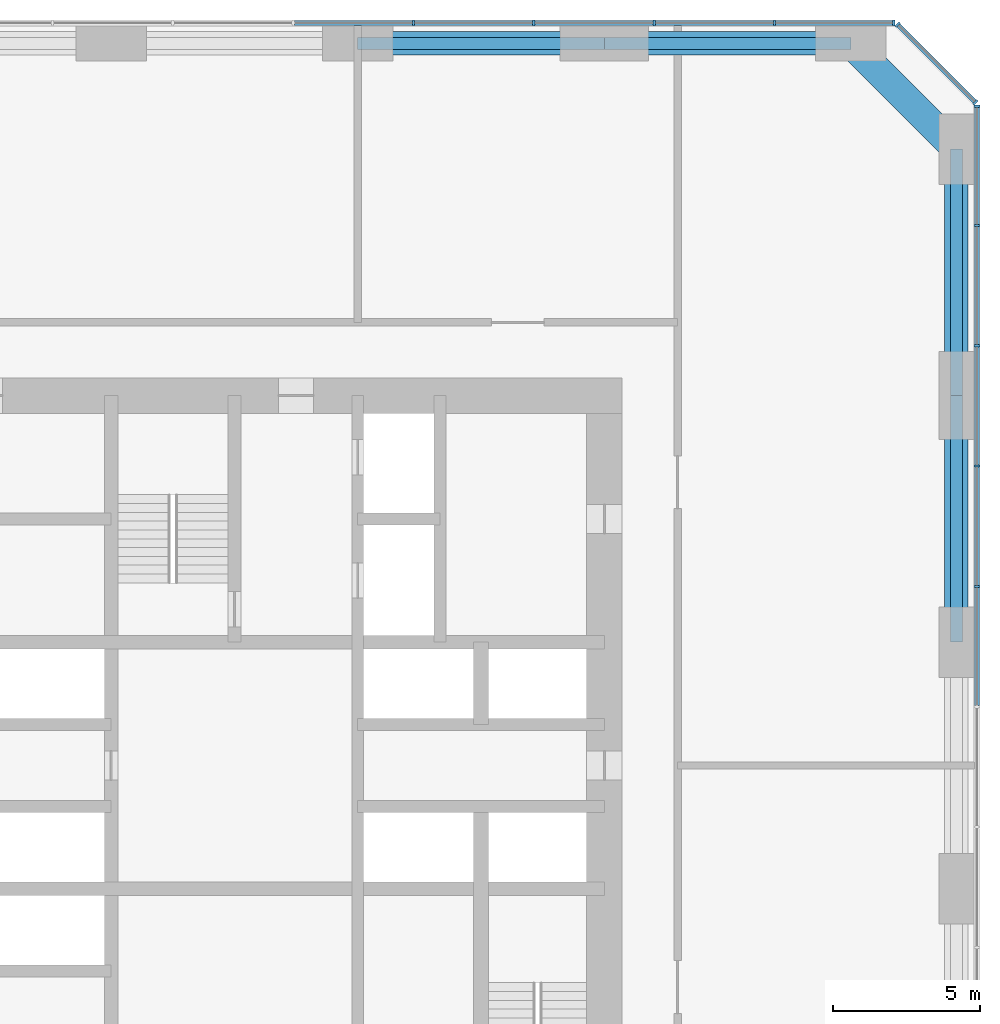
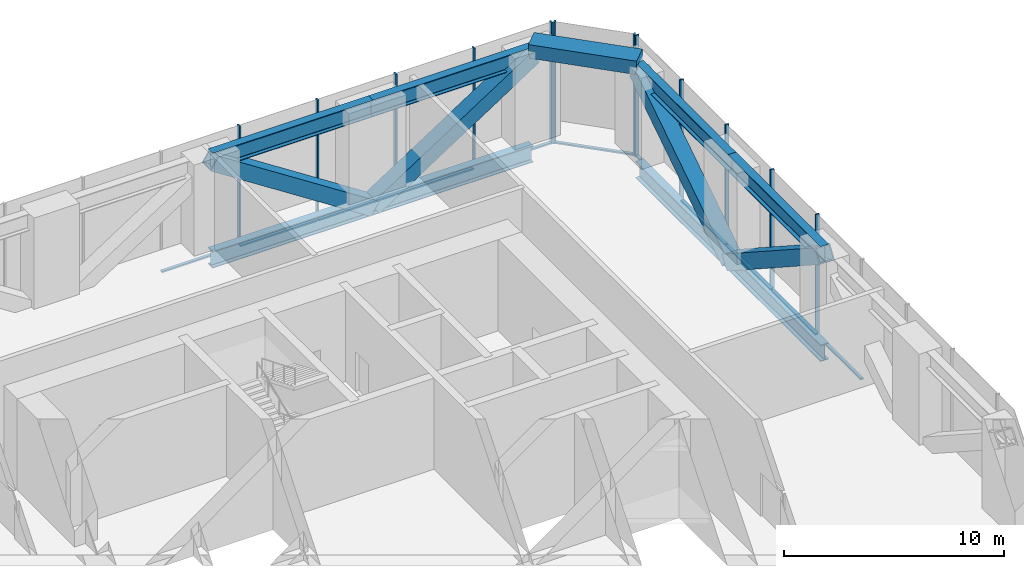
# One storey, part 6 of 10: 35 members, 1 beam, 3 elements without a shape of their own.
"""IFC4 building model written with IfcOpenShell, lengths in metres."""

from ifc_helpers import new_model, si_unit, direction, frame, origin, origin_2d, place, context, subcontext, project, spatial, rectangle, hollow_rectangle, i_section, extrude, material, material_profile, profile_set, type_object, element, aggregate, save


model = new_model("IFC4")

# Units and contexts
model_context = context("Model", 3, precision=1e-05, world=origin(), true_north=direction((0.0, 1.0)))
body_context = subcontext(model_context, "Body", "Model", "MODEL_VIEW")
ifc_project = project(units=[si_unit("LENGTHUNIT", "METRE"), si_unit("AREAUNIT", "SQUARE_METRE"), si_unit("VOLUMEUNIT", "CUBIC_METRE"), si_unit("PLANEANGLEUNIT", "RADIAN"), si_unit("MASSUNIT", "GRAM", prefix="KILO")], contexts=[model_context])

# Site, building, storey
site_placement = place(None, origin())
site = spatial("IfcSite", under=ifc_project, at=site_placement, CompositionType="ELEMENT")
building_placement = place(site_placement, origin())
building = spatial("IfcBuilding", under=site, at=building_placement, Name="Dunama Terrace Hotel", CompositionType="ELEMENT")
storey_placement = place(building_placement, frame((0.0, 0.0, 153.60009765625)))
storey = spatial("IfcBuildingStorey", under=building, at=storey_placement, Name="L39", CompositionType="ELEMENT", Elevation=153.60009765625)

# Members
ifc_material_1 = material(Name="Steel S355", Category="steel")
ifc_material_profile_1 = material_profile(ifc_material_1, hollow_rectangle(XDim=0.800048828125, YDim=0.800048828125, WallThickness=0.06005859375, at=origin_2d()), Name="BOX 800x800x60")
ifc_profile_set_1 = profile_set([ifc_material_profile_1], Name="Steel S355")
member_type_1 = type_object("IfcMemberType", Name="Brace BOX 800x800x60", PredefinedType="BRACE", material=ifc_profile_set_1)
for number, where, z_axis, x_axis, name in (
    (1, (54.0, 42.0, -0.860595703125), (0.0, -0.83889900313, 0.544287114075), (1.0, 0.0, 0.0), "Belt truss diagonal L39"),
    (2, (54.0, 42.0, -0.860595703125), (0.0, 0.83889900313, 0.544287114075), (-1.0, 0.0, 0.0), "Belt truss diagonal L39"),
    (3, (42.0, 54.0, -0.860595703125), (-0.83889900313, 0.0, 0.544287114075), (0.0, -1.0, 0.0), "Belt truss diagonal L39"),
    (4, (42.0, 54.0, -0.860595703125), (0.83889900313, 0.0, 0.544287114075), (0.0, 1.0, 0.0), "Belt truss diagonal L39"),
):
    element("IfcMember", number, at=place(storey_placement, frame(where, z_axis=z_axis, x_axis=x_axis)), inside=storey, type_object=member_type_1, Name=name, PredefinedType="BRACE", context=body_context, shape_type="SweptSolid", body=[
        extrude(hollow_rectangle(XDim=0.800048828125, YDim=0.800048828125, WallThickness=0.06005859375, at=origin_2d()), origin(), (0.0, 0.0, 1.0), 10.012939453125),
    ])

# Curtain wall, members
ifc_material_2 = material(Name="Aluminium curtain wall system", Category="aluminium")
curtain_wall_type = type_object("IfcCurtainWallType", Name="Plant floor louvred glazing CW-G", PredefinedType="NOTDEFINED", material=ifc_material_2)
curtain_wall_1_placement = place(storey_placement, origin())
curtain_wall_1 = element("IfcCurtainWall", 5, at=curtain_wall_1_placement, inside=storey, type_object=curtain_wall_type, Name="Plant floor louvred glazing CW-G L39", PredefinedType="NOTDEFINED")
ifc_material_3 = material(Name="Aluminium mullion", Category="aluminium")
ifc_material_profile_2 = material_profile(ifc_material_3, rectangle(XDim=0.074951171875, YDim=0.199951171875, at=origin_2d()), Name="CWG MULLION 75X200")
ifc_profile_set_2 = profile_set([ifc_material_profile_2], Name="Aluminium mullion")
member_type_2 = type_object("IfcMemberType", Name="CWG mullion 75x200", PredefinedType="MULLION", material=ifc_profile_set_2)
member_1_placement = place(storey_placement, frame((54.699951171875, 35.5, -1.321044921875), z_axis=(0.0, 0.0, 1.0), x_axis=(0.0, 1.0, 0.0)))
member_1 = element("IfcMember", 6, at=member_1_placement, type_object=member_type_2, Name="CWG mullion", PredefinedType="MULLION", context=body_context, shape_type="SweptSolid", body=[
    extrude(rectangle(XDim=0.074951171875, YDim=0.199951171875, at=origin_2d()), origin(), (0.0, 0.0, 1.0), 6.720947265625),
])
member_2_placement = place(storey_placement, frame((54.699951171875, 39.60009765625, -1.321044921875), z_axis=(0.0, 0.0, 1.0), x_axis=(0.0, 1.0, 0.0)))
member_2 = element("IfcMember", 7, at=member_2_placement, type_object=member_type_2, Name="CWG mullion", PredefinedType="MULLION", context=body_context, shape_type="SweptSolid", body=[
    extrude(rectangle(XDim=0.074951171875, YDim=0.199951171875, at=origin_2d()), origin(), (0.0, 0.0, 1.0), 6.720947265625),
])
member_3_placement = place(storey_placement, frame((54.699951171875, 43.699951171875, -1.321044921875), z_axis=(0.0, 0.0, 1.0), x_axis=(0.0, 1.0, 0.0)))
member_3 = element("IfcMember", 8, at=member_3_placement, type_object=member_type_2, Name="CWG mullion", PredefinedType="MULLION", context=body_context, shape_type="SweptSolid", body=[
    extrude(rectangle(XDim=0.074951171875, YDim=0.199951171875, at=origin_2d()), origin(), (0.0, 0.0, 1.0), 6.720947265625),
])
member_4_placement = place(storey_placement, frame((54.699951171875, 47.800048828125, -1.321044921875), z_axis=(0.0, 0.0, 1.0), x_axis=(0.0, 1.0, 0.0)))
member_4 = element("IfcMember", 9, at=member_4_placement, type_object=member_type_2, Name="CWG mullion", PredefinedType="MULLION", context=body_context, shape_type="SweptSolid", body=[
    extrude(rectangle(XDim=0.074951171875, YDim=0.199951171875, at=origin_2d()), origin(), (0.0, 0.0, 1.0), 6.720947265625),
])
member_5_placement = place(storey_placement, frame((54.699951171875, 51.862060546875, -1.321044921875), z_axis=(0.0, 0.0, 1.0), x_axis=(0.0, 1.0, 0.0)))
member_5 = element("IfcMember", 10, at=member_5_placement, type_object=member_type_2, Name="CWG mullion", PredefinedType="MULLION", context=body_context, shape_type="SweptSolid", body=[
    extrude(rectangle(XDim=0.074951171875, YDim=0.199951171875, at=origin_2d()), origin(), (0.0, 0.0, 1.0), 6.720947265625),
])

curtain_wall_2_placement = place(storey_placement, origin())
curtain_wall_2 = element("IfcCurtainWall", 11, at=curtain_wall_2_placement, inside=storey, type_object=curtain_wall_type, Name="Plant floor louvred glazing CW-G L39", PredefinedType="NOTDEFINED")
member_6_placement = place(storey_placement, frame((54.64404296875, 51.9970703125, -1.321044921875), z_axis=(0.0, 0.0, 1.0), x_axis=(-0.707106781187, 0.707106781187, 0.0)))
member_6 = element("IfcMember", 12, at=member_6_placement, type_object=member_type_2, Name="CWG mullion", PredefinedType="MULLION", context=body_context, shape_type="SweptSolid", body=[
    extrude(rectangle(XDim=0.074951171875, YDim=0.199951171875, at=origin_2d()), origin(), (0.0, 0.0, 1.0), 6.720947265625),
])
member_7_placement = place(storey_placement, frame((51.9970703125, 54.64404296875, -1.321044921875), z_axis=(0.0, 0.0, 1.0), x_axis=(-0.707106781187, 0.707106781187, 0.0)))
member_7 = element("IfcMember", 13, at=member_7_placement, type_object=member_type_2, Name="CWG mullion", PredefinedType="MULLION", context=body_context, shape_type="SweptSolid", body=[
    extrude(rectangle(XDim=0.074951171875, YDim=0.199951171875, at=origin_2d()), origin(), (0.0, 0.0, 1.0), 6.720947265625),
])

curtain_wall_3_placement = place(storey_placement, origin())
curtain_wall_3 = element("IfcCurtainWall", 14, at=curtain_wall_3_placement, inside=storey, type_object=curtain_wall_type, Name="Plant floor louvred glazing CW-G L39", PredefinedType="NOTDEFINED")
member_8_placement = place(storey_placement, frame((51.862060546875, 54.699951171875, -1.321044921875), z_axis=(0.0, 0.0, 1.0), x_axis=(-1.0, 0.0, 0.0)))
member_8 = element("IfcMember", 15, at=member_8_placement, type_object=member_type_2, Name="CWG mullion", PredefinedType="MULLION", context=body_context, shape_type="SweptSolid", body=[
    extrude(rectangle(XDim=0.074951171875, YDim=0.199951171875, at=origin_2d()), origin(), (0.0, 0.0, 1.0), 6.720947265625),
])
member_9_placement = place(storey_placement, frame((47.800048828125, 54.699951171875, -1.321044921875), z_axis=(0.0, 0.0, 1.0), x_axis=(-1.0, 0.0, 0.0)))
member_9 = element("IfcMember", 16, at=member_9_placement, type_object=member_type_2, Name="CWG mullion", PredefinedType="MULLION", context=body_context, shape_type="SweptSolid", body=[
    extrude(rectangle(XDim=0.074951171875, YDim=0.199951171875, at=origin_2d()), origin(), (0.0, 0.0, 1.0), 6.720947265625),
])
member_10_placement = place(storey_placement, frame((43.699951171875, 54.699951171875, -1.321044921875), z_axis=(0.0, 0.0, 1.0), x_axis=(-1.0, 0.0, 0.0)))
member_10 = element("IfcMember", 17, at=member_10_placement, type_object=member_type_2, Name="CWG mullion", PredefinedType="MULLION", context=body_context, shape_type="SweptSolid", body=[
    extrude(rectangle(XDim=0.074951171875, YDim=0.199951171875, at=origin_2d()), origin(), (0.0, 0.0, 1.0), 6.720947265625),
])
member_11_placement = place(storey_placement, frame((39.60009765625, 54.699951171875, -1.321044921875), z_axis=(0.0, 0.0, 1.0), x_axis=(-1.0, 0.0, 0.0)))
member_11 = element("IfcMember", 18, at=member_11_placement, type_object=member_type_2, Name="CWG mullion", PredefinedType="MULLION", context=body_context, shape_type="SweptSolid", body=[
    extrude(rectangle(XDim=0.074951171875, YDim=0.199951171875, at=origin_2d()), origin(), (0.0, 0.0, 1.0), 6.720947265625),
])
member_12_placement = place(storey_placement, frame((35.5, 54.699951171875, -1.321044921875), z_axis=(0.0, 0.0, 1.0), x_axis=(-1.0, 0.0, 0.0)))
member_12 = element("IfcMember", 19, at=member_12_placement, type_object=member_type_2, Name="CWG mullion", PredefinedType="MULLION", context=body_context, shape_type="SweptSolid", body=[
    extrude(rectangle(XDim=0.074951171875, YDim=0.199951171875, at=origin_2d()), origin(), (0.0, 0.0, 1.0), 6.720947265625),
])

# Member
ifc_material_4 = material(Name="Aluminium transom", Category="aluminium")
ifc_material_profile_3 = material_profile(ifc_material_4, rectangle(XDim=0.159912109375, YDim=0.0849609375, at=origin_2d()), Name="CWG TRANSOM 160X85")
ifc_profile_set_3 = profile_set([ifc_material_profile_3], Name="Aluminium transom")
member_type_3 = type_object("IfcMemberType", Name="CWG transom 160x85", PredefinedType="USERDEFINED", material=ifc_profile_set_3)
member_13_placement = place(storey_placement, frame((54.699951171875, 31.43701171875, -1.278564453125), z_axis=(0.0, 1.0, 0.0), x_axis=(-1.0, 0.0, 0.0)))
member_13 = element("IfcMember", 20, at=member_13_placement, type_object=member_type_3, Name="CWG transom", ObjectType="TRANSOM", PredefinedType="USERDEFINED", context=body_context, shape_type="SweptSolid", body=[
    extrude(rectangle(XDim=0.159912109375, YDim=0.0849609375, at=origin_2d()), origin(), (0.0, 0.0, 1.0), 4.02490234375),
])

member_14_placement = place(storey_placement, frame((54.699951171875, 35.5380859375, -1.278564453125), z_axis=(0.0, 1.0, 0.0), x_axis=(-1.0, 0.0, 0.0)))
member_14 = element("IfcMember", 21, at=member_14_placement, type_object=member_type_3, Name="CWG transom", ObjectType="TRANSOM", PredefinedType="USERDEFINED", context=body_context, shape_type="SweptSolid", body=[
    extrude(rectangle(XDim=0.159912109375, YDim=0.0849609375, at=origin_2d()), origin(), (0.0, 0.0, 1.0), 4.02392578125),
])

member_15_placement = place(storey_placement, frame((54.699951171875, 39.637939453125, -1.278564453125), z_axis=(0.0, 1.0, 0.0), x_axis=(-1.0, 0.0, 0.0)))
member_15 = element("IfcMember", 22, at=member_15_placement, type_object=member_type_3, Name="CWG transom", ObjectType="TRANSOM", PredefinedType="USERDEFINED", context=body_context, shape_type="SweptSolid", body=[
    extrude(rectangle(XDim=0.159912109375, YDim=0.0849609375, at=origin_2d()), origin(), (0.0, 0.0, 1.0), 4.025146484375),
])

member_16_placement = place(storey_placement, frame((54.699951171875, 43.738037109375, -1.278564453125), z_axis=(0.0, 1.0, 0.0), x_axis=(-1.0, 0.0, 0.0)))
member_16 = element("IfcMember", 23, at=member_16_placement, type_object=member_type_3, Name="CWG transom", ObjectType="TRANSOM", PredefinedType="USERDEFINED", context=body_context, shape_type="SweptSolid", body=[
    extrude(rectangle(XDim=0.159912109375, YDim=0.0849609375, at=origin_2d()), origin(), (0.0, 0.0, 1.0), 4.02392578125),
])

member_17_placement = place(storey_placement, frame((54.699951171875, 47.8369140625, -1.278564453125), z_axis=(0.0, 1.0, 0.0), x_axis=(-1.0, 0.0, 0.0)))
member_17 = element("IfcMember", 24, at=member_17_placement, type_object=member_type_3, Name="CWG transom", ObjectType="TRANSOM", PredefinedType="USERDEFINED", context=body_context, shape_type="SweptSolid", body=[
    extrude(rectangle(XDim=0.159912109375, YDim=0.0849609375, at=origin_2d()), origin(), (0.0, 0.0, 1.0), 3.988037109375),
])

aggregate(curtain_wall_1, [member_1, member_2, member_3, member_4, member_5, member_13, member_14, member_15, member_16, member_17])

member_18_placement = place(storey_placement, frame((54.617919921875, 52.02392578125, -1.278564453125), z_axis=(-0.707106781187, 0.707106781187, 0.0), x_axis=(-0.707106781187, -0.707106781187, 0.0)))
member_18 = element("IfcMember", 25, at=member_18_placement, type_object=member_type_3, Name="CWG transom", ObjectType="TRANSOM", PredefinedType="USERDEFINED", context=body_context, shape_type="SweptSolid", body=[
    extrude(rectangle(XDim=0.159912109375, YDim=0.0849609375, at=origin_2d()), origin(), (0.0, 0.0, 1.0), 3.66845703125),
])

aggregate(curtain_wall_2, [member_6, member_7, member_18])

member_19_placement = place(storey_placement, frame((51.824951171875, 54.699951171875, -1.278564453125), z_axis=(-1.0, 0.0, 0.0), x_axis=(0.0, -1.0, 0.0)))
member_19 = element("IfcMember", 26, at=member_19_placement, type_object=member_type_3, Name="CWG transom", ObjectType="TRANSOM", PredefinedType="USERDEFINED", context=body_context, shape_type="SweptSolid", body=[
    extrude(rectangle(XDim=0.159912109375, YDim=0.0849609375, at=origin_2d()), origin(), (0.0, 0.0, 1.0), 3.988037109375),
])

member_20_placement = place(storey_placement, frame((47.762939453125, 54.699951171875, -1.278564453125), z_axis=(-1.0, 0.0, 0.0), x_axis=(0.0, -1.0, 0.0)))
member_20 = element("IfcMember", 27, at=member_20_placement, type_object=member_type_3, Name="CWG transom", ObjectType="TRANSOM", PredefinedType="USERDEFINED", context=body_context, shape_type="SweptSolid", body=[
    extrude(rectangle(XDim=0.159912109375, YDim=0.0849609375, at=origin_2d()), origin(), (0.0, 0.0, 1.0), 4.02587890625),
])

member_21_placement = place(storey_placement, frame((43.6630859375, 54.699951171875, -1.278564453125), z_axis=(-1.0, 0.0, 0.0), x_axis=(0.0, -1.0, 0.0)))
member_21 = element("IfcMember", 28, at=member_21_placement, type_object=member_type_3, Name="CWG transom", ObjectType="TRANSOM", PredefinedType="USERDEFINED", context=body_context, shape_type="SweptSolid", body=[
    extrude(rectangle(XDim=0.159912109375, YDim=0.0849609375, at=origin_2d()), origin(), (0.0, 0.0, 1.0), 4.025146484375),
])

member_22_placement = place(storey_placement, frame((39.56201171875, 54.699951171875, -1.278564453125), z_axis=(-1.0, 0.0, 0.0), x_axis=(0.0, -1.0, 0.0)))
member_22 = element("IfcMember", 29, at=member_22_placement, type_object=member_type_3, Name="CWG transom", ObjectType="TRANSOM", PredefinedType="USERDEFINED", context=body_context, shape_type="SweptSolid", body=[
    extrude(rectangle(XDim=0.159912109375, YDim=0.0849609375, at=origin_2d()), origin(), (0.0, 0.0, 1.0), 4.02392578125),
])

member_23_placement = place(storey_placement, frame((35.4619140625, 54.699951171875, -1.278564453125), z_axis=(-1.0, 0.0, 0.0), x_axis=(0.0, -1.0, 0.0)))
member_23 = element("IfcMember", 30, at=member_23_placement, type_object=member_type_3, Name="CWG transom", ObjectType="TRANSOM", PredefinedType="USERDEFINED", context=body_context, shape_type="SweptSolid", body=[
    extrude(rectangle(XDim=0.159912109375, YDim=0.0849609375, at=origin_2d()), origin(), (0.0, 0.0, 1.0), 4.02392578125),
])

aggregate(curtain_wall_3, [member_8, member_9, member_10, member_11, member_12, member_19, member_20, member_21, member_22, member_23])

# Beam
ifc_material_5 = material(Name="Concrete C50/60", Category="concrete")
ifc_material_profile_4 = material_profile(ifc_material_5, rectangle(XDim=1.0, YDim=0.75, at=origin_2d()), Name="RC 1000x750")
ifc_profile_set_4 = profile_set([ifc_material_profile_4], Name="Concrete C50/60")
beam_type = type_object("IfcBeamType", Name="Edge beam RC 1000x750", PredefinedType="SPANDREL", material=ifc_profile_set_4)
beam_placement = place(storey_placement, frame((50.39990234375, 54.0, 5.02490234375), z_axis=(0.707106781187, -0.707106781187, 0.0), x_axis=(0.707106781187, 0.707106781187, 0.0)))
element("IfcBeam", 31, at=beam_placement, inside=storey, type_object=beam_type, Name="Corner edge beam under L40", PredefinedType="SPANDREL", context=body_context, shape_type="SweptSolid", body=[
    extrude(rectangle(XDim=1.0, YDim=0.75, at=origin_2d()), origin(), (0.0, 0.0, 1.0), 5.09130859375),
])

# Members
ifc_material_6 = material(Name="Steel S355", Category="steel")
ifc_material_profile_5 = material_profile(ifc_material_6, i_section(OverallWidth=0.42041015625, OverallDepth=0.9208984375, WebThickness=0.021484375, FlangeThickness=0.03662109375, FilletRadius=0.024169921875, at=origin_2d()), Name="UB 914x419x388")
ifc_profile_set_5 = profile_set([ifc_material_profile_5], Name="Steel S355")
member_type_4 = type_object("IfcMemberType", Name="Truss member UB 914x419x388", PredefinedType="CHORD", material=ifc_profile_set_5)
for number, where, z_axis, x_axis, name in (
    (32, (54.0, 33.60009765625, 4.58935546875), (0.0, 1.0, 0.0), (-1.0, 0.0, 0.0), "Belt truss top chord L39"),
    (33, (54.0, 33.60009765625, -0.860595703125), (0.0, 1.0, 0.0), (-1.0, 0.0, 0.0), "Belt truss bottom chord L39"),
    (34, (54.0, 42.0, 4.58935546875), (0.0, 1.0, 0.0), (-1.0, 0.0, 0.0), "Belt truss top chord L39"),
    (35, (54.0, 42.0, -0.860595703125), (0.0, 1.0, 0.0), (-1.0, 0.0, 0.0), "Belt truss bottom chord L39"),
    (36, (33.60009765625, 54.0, 4.58935546875), (1.0, 0.0, 0.0), (0.0, 1.0, 0.0), "Belt truss top chord L39"),
    (37, (33.60009765625, 54.0, -0.860595703125), (1.0, 0.0, 0.0), (0.0, 1.0, 0.0), "Belt truss bottom chord L39"),
    (38, (42.0, 54.0, 4.58935546875), (1.0, 0.0, 0.0), (0.0, 1.0, 0.0), "Belt truss top chord L39"),
    (39, (42.0, 54.0, -0.860595703125), (1.0, 0.0, 0.0), (0.0, 1.0, 0.0), "Belt truss bottom chord L39"),
):
    element("IfcMember", number, at=place(storey_placement, frame(where, z_axis=z_axis, x_axis=x_axis)), inside=storey, type_object=member_type_4, Name=name, PredefinedType="CHORD", context=body_context, shape_type="SweptSolid", body=[
        extrude(i_section(OverallWidth=0.42041015625, OverallDepth=0.9208984375, WebThickness=0.021484375, FlangeThickness=0.03662109375, FilletRadius=0.024169921875, at=origin_2d()), origin(), (0.0, 0.0, 1.0), 8.39990234375),
    ])

save(model, "model.ifc")
